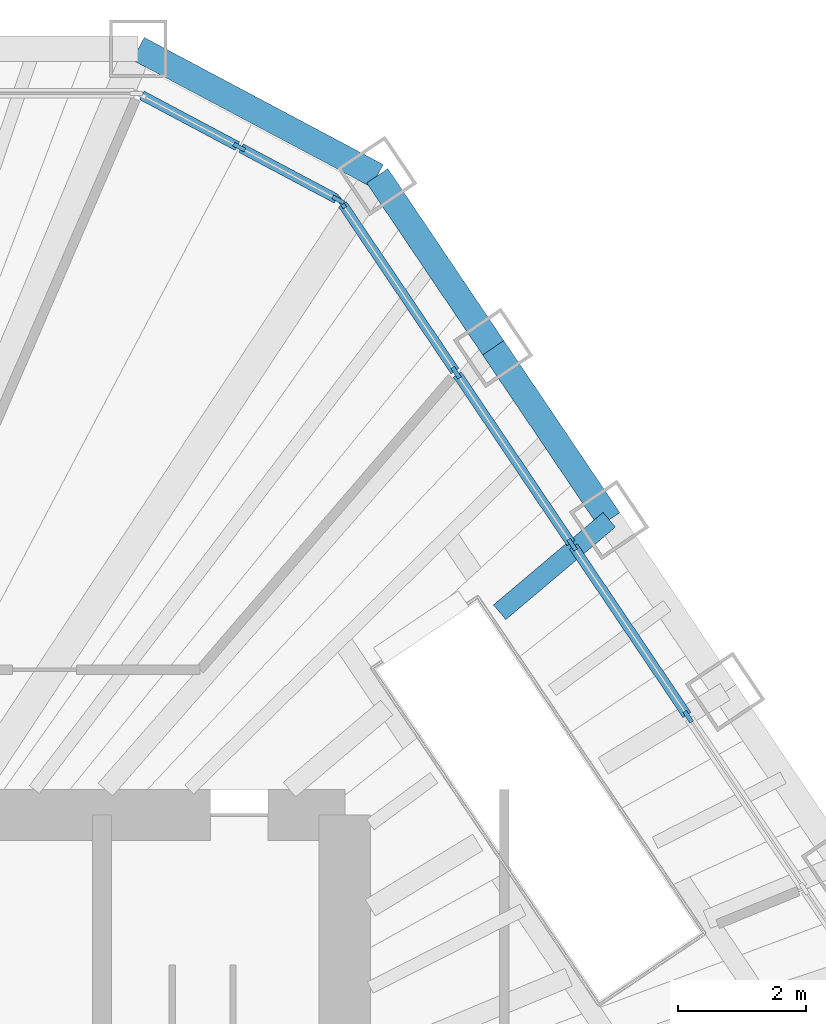
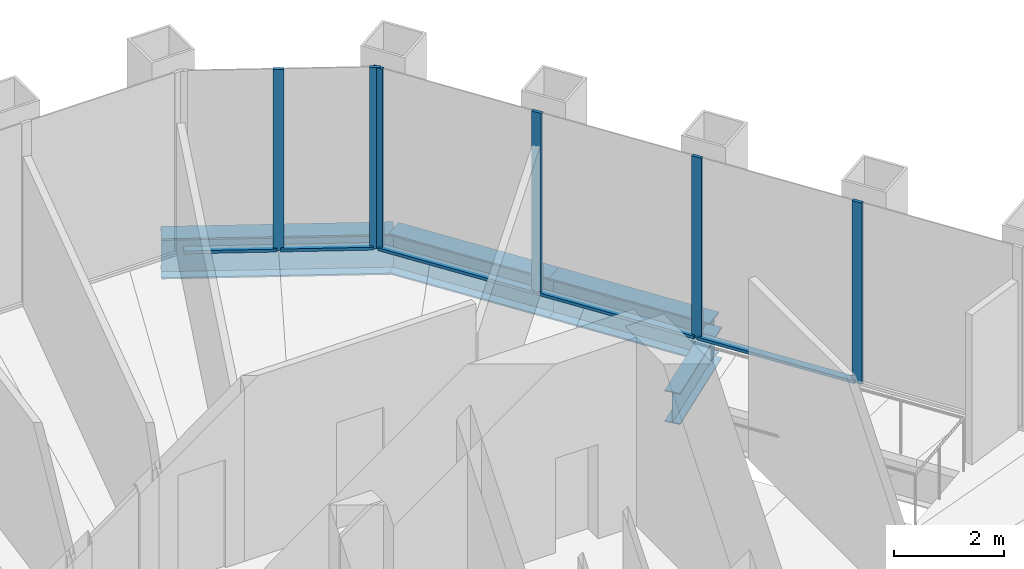
# One storey, part 10 of 17: 11 members, 4 beams, 2 elements without a shape of their own.
"""IFC4 building model written with IfcOpenShell, lengths in metres."""

from ifc_helpers import new_model, si_unit, direction, frame, origin, origin_2d, place, context, subcontext, project, spatial, rectangle, i_section, extrude, material, material_profile, profile_set, type_object, element, aggregate, save


model = new_model("IFC4")

# Units and contexts
model_context = context("Model", 3, precision=1e-05, world=origin(), true_north=direction((0.0, 1.0)))
body_context = subcontext(model_context, "Body", "Model", "MODEL_VIEW")
ifc_project = project(units=[si_unit("LENGTHUNIT", "METRE"), si_unit("AREAUNIT", "SQUARE_METRE"), si_unit("VOLUMEUNIT", "CUBIC_METRE"), si_unit("PLANEANGLEUNIT", "RADIAN"), si_unit("MASSUNIT", "GRAM", prefix="KILO")], contexts=[model_context])

# Site, building, storey
site_placement = place(None, origin())
site = spatial("IfcSite", under=ifc_project, at=site_placement, CompositionType="ELEMENT")
building_placement = place(site_placement, origin())
building = spatial("IfcBuilding", under=site, at=building_placement, Name="Qingtian Harvest Tower", CompositionType="ELEMENT")
storey_placement = place(building_placement, frame((0.0, 0.0, 329.199951171875)))
storey = spatial("IfcBuildingStorey", under=building, at=storey_placement, Name="L73", CompositionType="ELEMENT", Elevation=329.199951171875)

# Beam
ifc_material_1 = material(Name="Steel SN490B", Category="steel")
ifc_material_profile_1 = material_profile(ifc_material_1, i_section(OverallWidth=0.300048828125, OverallDepth=0.699951171875, WebThickness=0.012939453125, FlangeThickness=0.02392578125, at=origin_2d()), Name="H700x300x13x24")
ifc_profile_set_1 = profile_set([ifc_material_profile_1], Name="Steel SN490B")
beam_type_1 = type_object("IfcBeamType", Name="Floor beam FB4 H700x300x13x24", PredefinedType="BEAM", material=ifc_profile_set_1)
beam_1_placement = place(storey_placement, frame((16.140625, 13.624755859375, -0.52001953125), z_axis=(-0.764177590057, -0.64500589986, 0.0), x_axis=(0.64500589986, -0.764177590057, 0.0)))
element("IfcBeam", 1, at=beam_1_placement, inside=storey, type_object=beam_type_1, Name="Floor beam FB4 NE2", PredefinedType="BEAM", context=body_context, shape_type="SweptSolid", body=[
    extrude(i_section(OverallWidth=0.300048828125, OverallDepth=0.699951171875, WebThickness=0.012939453125, FlangeThickness=0.02392578125, at=origin_2d()), origin(), (0.0, 0.0, 1.0), 2.245361328125),
])

# Curtain wall, members
ifc_material_2 = material(Name="Bronze-anodised aluminium curtain wall", Category="aluminium")
curtain_wall_type = type_object("IfcCurtainWallType", Name="Curtain wall CW6 executive floors", PredefinedType="USERDEFINED", material=ifc_material_2)
curtain_wall_1_placement = place(storey_placement, origin())
curtain_wall_1 = element("IfcCurtainWall", 2, at=curtain_wall_1_placement, inside=storey, type_object=curtain_wall_type, Name="Curtain wall CW6 L73 NC", ObjectType="RECESSED CURTAIN WALL", PredefinedType="USERDEFINED")
ifc_material_3 = material(Name="Bronze-anodised aluminium mullion", Category="aluminium")
ifc_material_profile_2 = material_profile(ifc_material_3, rectangle(XDim=0.06494140625, YDim=0.199951171875, at=origin_2d()), Name="AL 65x200")
ifc_profile_set_2 = profile_set([ifc_material_profile_2], Name="Bronze-anodised aluminium mullion")
member_type_1 = type_object("IfcMemberType", Name="Mullion CWM 65x200", PredefinedType="MULLION", material=ifc_profile_set_2)
member_1_placement = place(storey_placement, frame((10.3466796875, 19.45947265625, 0.0), z_axis=(0.0, 0.0, 1.0), x_axis=(0.469471562786, 0.882947592859, 0.0)))
member_1 = element("IfcMember", 3, at=member_1_placement, type_object=member_type_1, Name="CW6 mullion 2", PredefinedType="MULLION", context=body_context, shape_type="SweptSolid", body=[
    extrude(rectangle(XDim=0.06494140625, YDim=0.199951171875, at=origin_2d()), origin(), (0.0, 0.0, 1.0), 4.030029296875),
])
member_2_placement = place(storey_placement, frame((11.89892578125, 18.634033203125, 0.0), z_axis=(0.0, 0.0, 1.0), x_axis=(0.469471562786, 0.882947592859, 0.0)))
member_2 = element("IfcMember", 4, at=member_2_placement, type_object=member_type_1, Name="CW6 mullion 3", PredefinedType="MULLION", context=body_context, shape_type="SweptSolid", body=[
    extrude(rectangle(XDim=0.06494140625, YDim=0.199951171875, at=origin_2d()), origin(), (0.0, 0.0, 1.0), 4.030029296875),
])

curtain_wall_2_placement = place(storey_placement, origin())
curtain_wall_2 = element("IfcCurtainWall", 5, at=curtain_wall_2_placement, inside=storey, type_object=curtain_wall_type, Name="Curtain wall CW6 L73 NE0-5", ObjectType="RECESSED CURTAIN WALL", PredefinedType="USERDEFINED")
member_3_placement = place(storey_placement, frame((11.94580078125, 18.592041015625, 0.0), z_axis=(0.0, 0.0, 1.0), x_axis=(0.829037572555, 0.559192903471, 0.0)))
member_3 = element("IfcMember", 6, at=member_3_placement, type_object=member_type_1, Name="CW6 mullion 1", PredefinedType="MULLION", context=body_context, shape_type="SweptSolid", body=[
    extrude(rectangle(XDim=0.06494140625, YDim=0.199951171875, at=origin_2d()), origin(), (0.0, 0.0, 1.0), 4.030029296875),
])
member_4_placement = place(storey_placement, frame((13.743896484375, 15.926025390625, 0.0), z_axis=(0.0, 0.0, 1.0), x_axis=(0.829037572555, 0.559192903471, 0.0)))
member_4 = element("IfcMember", 7, at=member_4_placement, type_object=member_type_1, Name="CW6 mullion 2", PredefinedType="MULLION", context=body_context, shape_type="SweptSolid", body=[
    extrude(rectangle(XDim=0.06494140625, YDim=0.199951171875, at=origin_2d()), origin(), (0.0, 0.0, 1.0), 4.030029296875),
])
member_5_placement = place(storey_placement, frame((15.56005859375, 13.2333984375, 0.0), z_axis=(0.0, 0.0, 1.0), x_axis=(0.829037572555, 0.559192903471, 0.0)))
member_5 = element("IfcMember", 8, at=member_5_placement, type_object=member_type_1, Name="CW6 mullion 3", PredefinedType="MULLION", context=body_context, shape_type="SweptSolid", body=[
    extrude(rectangle(XDim=0.06494140625, YDim=0.199951171875, at=origin_2d()), origin(), (0.0, 0.0, 1.0), 4.030029296875),
])
member_6_placement = place(storey_placement, frame((17.37646484375, 10.540771484375, 0.0), z_axis=(0.0, 0.0, 1.0), x_axis=(0.829037572555, 0.559192903471, 0.0)))
member_6 = element("IfcMember", 9, at=member_6_placement, type_object=member_type_1, Name="CW6 mullion 4", PredefinedType="MULLION", context=body_context, shape_type="SweptSolid", body=[
    extrude(rectangle(XDim=0.06494140625, YDim=0.199951171875, at=origin_2d()), origin(), (0.0, 0.0, 1.0), 4.030029296875),
])

# Beams
ifc_material_4 = material(Name="Steel SN490B", Category="steel")
ifc_material_profile_3 = material_profile(ifc_material_4, i_section(OverallWidth=0.39990234375, OverallDepth=0.89990234375, WebThickness=0.01904296875, FlangeThickness=0.035888671875, at=origin_2d()), Name="H900x400x19x36")
ifc_profile_set_3 = profile_set([ifc_material_profile_3], Name="Steel SN490B")
beam_type_2 = type_object("IfcBeamType", Name="Spandrel beam SB4 H900x400x19x36", PredefinedType="SPANDREL", material=ifc_profile_set_3)
beam_2_placement = place(storey_placement, frame((8.765869140625, 21.0, -0.449951171875), z_axis=(0.882948599748, -0.469469669099, 0.0), x_axis=(0.469469669099, 0.882948599748, 0.0)))
element("IfcBeam", 10, at=beam_2_placement, inside=storey, type_object=beam_type_2, Name="Spandrel SB4 NC", PredefinedType="SPANDREL", context=body_context, shape_type="SweptSolid", body=[
    extrude(i_section(OverallWidth=0.39990234375, OverallDepth=0.89990234375, WebThickness=0.01904296875, FlangeThickness=0.035888671875, at=origin_2d()), origin(), (0.0, 0.0, 1.0), 4.23828125),
])
beam_3_placement = place(storey_placement, frame((12.508056640625, 19.01025390625, -0.449951171875), z_axis=(0.559184924833, -0.829042954158, 0.0), x_axis=(0.829042954158, 0.559184924833, 0.0)))
element("IfcBeam", 11, at=beam_3_placement, inside=storey, type_object=beam_type_2, Name="Spandrel SB4 NE0", PredefinedType="SPANDREL", context=body_context, shape_type="SweptSolid", body=[
    extrude(i_section(OverallWidth=0.39990234375, OverallDepth=0.89990234375, WebThickness=0.01904296875, FlangeThickness=0.035888671875, at=origin_2d()), origin(), (0.0, 0.0, 1.0), 3.247802734375),
])
beam_4_placement = place(storey_placement, frame((14.32421875, 16.317626953125, -0.449951171875), z_axis=(0.559201740147, -0.829031612073, 0.0), x_axis=(0.829031612073, 0.559201740147, 0.0)))
element("IfcBeam", 12, at=beam_4_placement, inside=storey, type_object=beam_type_2, Name="Spandrel SB4 NE1", PredefinedType="SPANDREL", context=body_context, shape_type="SweptSolid", body=[
    extrude(i_section(OverallWidth=0.39990234375, OverallDepth=0.89990234375, WebThickness=0.01904296875, FlangeThickness=0.035888671875, at=origin_2d()), origin(), (0.0, 0.0, 1.0), 3.248291015625),
])

# Member
ifc_material_5 = material(Name="Bronze-anodised aluminium transom", Category="aluminium")
ifc_material_profile_4 = material_profile(ifc_material_5, rectangle(XDim=0.14990234375, YDim=0.06494140625, at=origin_2d()), Name="AL 65x150")
ifc_profile_set_4 = profile_set([ifc_material_profile_4], Name="Bronze-anodised aluminium transom")
member_type_2 = type_object("IfcMemberType", Name="Transom CWT 65x150", PredefinedType="USERDEFINED", material=ifc_profile_set_4)
member_7_placement = place(storey_placement, frame((8.8232421875, 20.26953125, 0.032470703125), z_axis=(0.882927080927, -0.469510138086, 0.0), x_axis=(0.469510138086, 0.882927080927, 0.0)))
member_7 = element("IfcMember", 13, at=member_7_placement, type_object=member_type_2, Name="CW6 transom 1.1", ObjectType="TRANSOM", PredefinedType="USERDEFINED", context=body_context, shape_type="SweptSolid", body=[
    extrude(rectangle(XDim=0.14990234375, YDim=0.06494140625, at=origin_2d()), origin(), (0.0, 0.0, 1.0), 1.693115234375),
])

member_8_placement = place(storey_placement, frame((10.37548828125, 19.444091796875, 0.032470703125), z_axis=(0.882986854304, -0.469397715297, 0.0), x_axis=(0.469397715297, 0.882986854304, 0.0)))
member_8 = element("IfcMember", 14, at=member_8_placement, type_object=member_type_2, Name="CW6 transom 2.1", ObjectType="TRANSOM", PredefinedType="USERDEFINED", context=body_context, shape_type="SweptSolid", body=[
    extrude(rectangle(XDim=0.14990234375, YDim=0.06494140625, at=origin_2d()), origin(), (0.0, 0.0, 1.0), 1.69287109375),
])

aggregate(curtain_wall_1, [member_1, member_2, member_7, member_8])

member_9_placement = place(storey_placement, frame((11.9638671875, 18.56494140625, 0.032470703125), z_axis=(0.559251907839, -0.828997770551, 0.0), x_axis=(0.828997770551, 0.559251907839, 0.0)))
member_9 = element("IfcMember", 15, at=member_9_placement, type_object=member_type_2, Name="CW6 transom 1.1", ObjectType="TRANSOM", PredefinedType="USERDEFINED", context=body_context, shape_type="SweptSolid", body=[
    extrude(rectangle(XDim=0.14990234375, YDim=0.06494140625, at=origin_2d()), origin(), (0.0, 0.0, 1.0), 3.150634765625),
])

member_10_placement = place(storey_placement, frame((13.761962890625, 15.899169921875, 0.032470703125), z_axis=(0.55920542009, -0.829029129852, 0.0), x_axis=(0.829029129852, 0.55920542009, 0.0)))
member_10 = element("IfcMember", 16, at=member_10_placement, type_object=member_type_2, Name="CW6 transom 2.1", ObjectType="TRANSOM", PredefinedType="USERDEFINED", context=body_context, shape_type="SweptSolid", body=[
    extrude(rectangle(XDim=0.14990234375, YDim=0.06494140625, at=origin_2d()), origin(), (0.0, 0.0, 1.0), 3.18310546875),
])

member_11_placement = place(storey_placement, frame((15.578369140625, 13.20654296875, 0.032470703125), z_axis=(0.55920542009, -0.829029129852, 0.0), x_axis=(0.829029129852, 0.55920542009, 0.0)))
member_11 = element("IfcMember", 17, at=member_11_placement, type_object=member_type_2, Name="CW6 transom 3.1", ObjectType="TRANSOM", PredefinedType="USERDEFINED", context=body_context, shape_type="SweptSolid", body=[
    extrude(rectangle(XDim=0.14990234375, YDim=0.06494140625, at=origin_2d()), origin(), (0.0, 0.0, 1.0), 3.18310546875),
])

aggregate(curtain_wall_2, [member_3, member_4, member_5, member_6, member_9, member_10, member_11])

save(model, "model.ifc")
